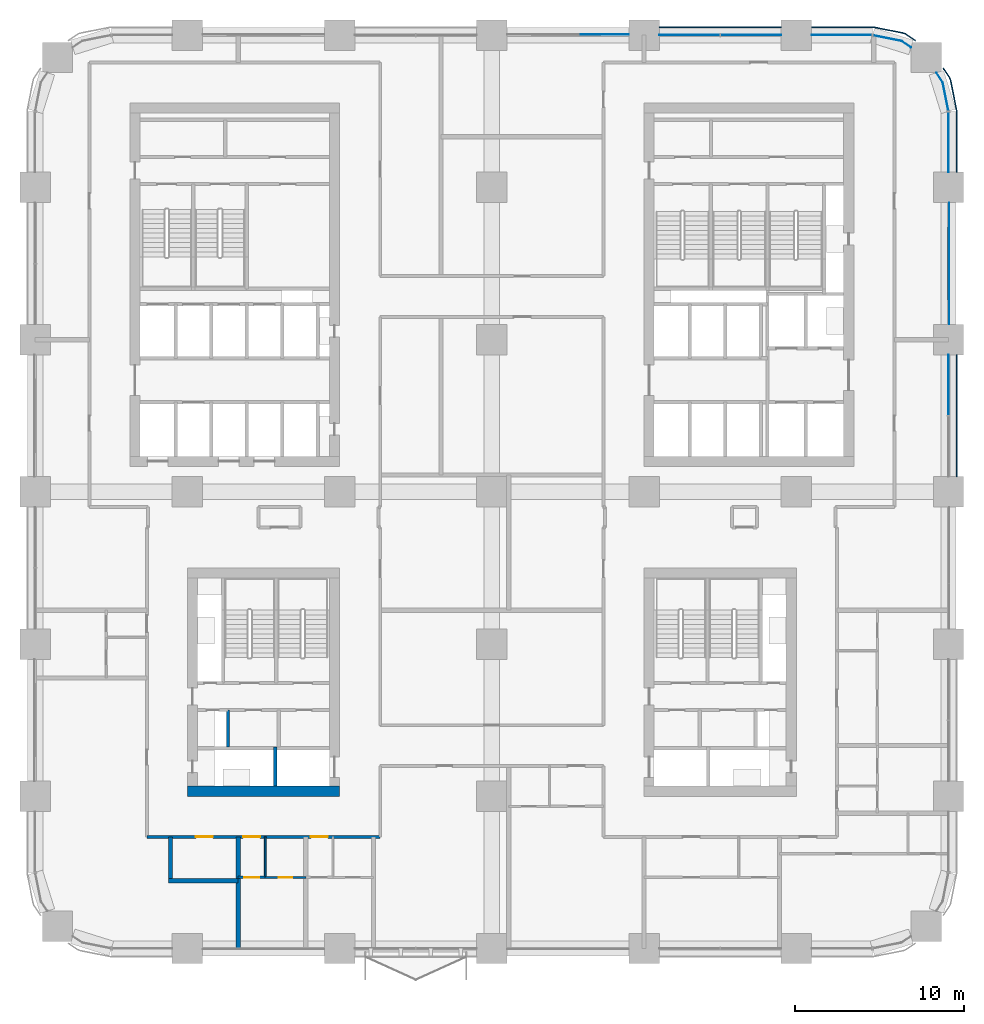
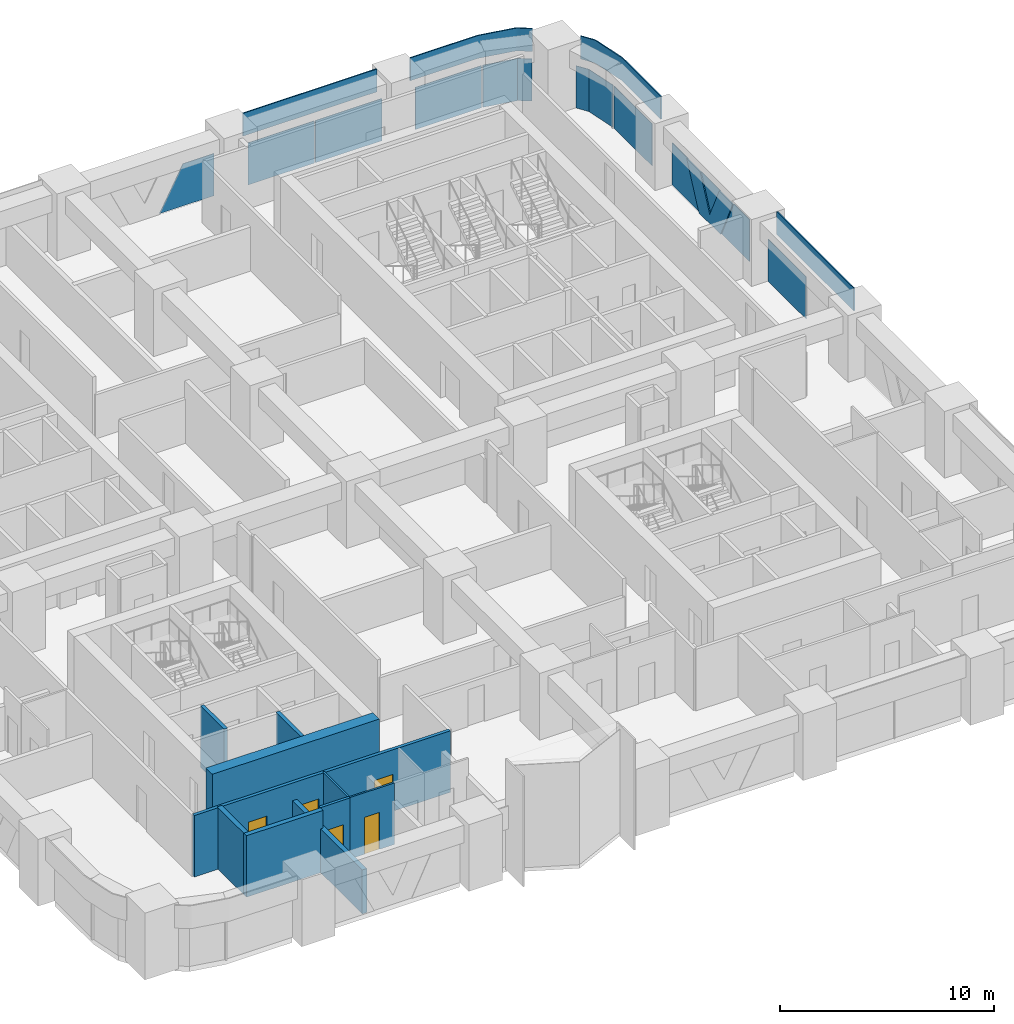
# One storey, part 13 of 24: 16 plates, 10 walls, 5 doors, 5 openings, 6 elements without a shape of their own.
"""IFC4 building model written with IfcOpenShell, lengths in metres."""

from ifc_helpers import new_model, si_unit, direction, frame, frame_2d, origin, origin_2d, place, context, subcontext, project, spatial, polyline, rectangle, outline, extrude, material, layer, layer_set, type_object, element, fill, aggregate, save


model = new_model("IFC4")

# Units and contexts
model_context = context("Model", 3, precision=1e-05, world=origin(), true_north=direction((0.0, 1.0)))
body_context = subcontext(model_context, "Body", "Model", "MODEL_VIEW")
ifc_project = project(units=[si_unit("LENGTHUNIT", "METRE"), si_unit("AREAUNIT", "SQUARE_METRE"), si_unit("VOLUMEUNIT", "CUBIC_METRE"), si_unit("PLANEANGLEUNIT", "RADIAN"), si_unit("MASSUNIT", "GRAM", prefix="KILO")], contexts=[model_context])

# Site, building, storey
site_placement = place(None, origin())
site = spatial("IfcSite", under=ifc_project, at=site_placement, CompositionType="ELEMENT")
building_placement = place(site_placement, origin())
building = spatial("IfcBuilding", under=site, at=building_placement, Name="Tessera Arch", CompositionType="ELEMENT")
storey_placement = place(building_placement, frame((0.0, 0.0, 38.60009765625)))
storey = spatial("IfcBuildingStorey", under=building, at=storey_placement, Name="L07", CompositionType="ELEMENT", Elevation=38.60009765625)

# Curtain wall, plate
ifc_material_1 = material(Name="CW1 curtain wall")
curtain_wall_type_1 = type_object("IfcCurtainWallType", Name="CW1 curtain wall", PredefinedType="NOTDEFINED", material=ifc_material_1)
curtain_wall_1_placement = place(storey_placement, origin())
curtain_wall_1 = element("IfcCurtainWall", 1, at=curtain_wall_1_placement, inside=storey, type_object=curtain_wall_type_1, Name="CW1 curtain wall E54.0/3 L07", PredefinedType="NOTDEFINED")
ifc_material_2 = material(Name="Clear low-e glass", Category="glass")
ifc_material_3 = material(Name="Clear low-e glass", Category="glass")
ifc_layer_1 = layer(ifc_material_3, 0.028076171875)
ifc_layer_set_1 = layer_set([ifc_layer_1], Name="CW1 glass panel")
plate_type_1 = type_object("IfcPlateType", Name="CW1 glass panel", PredefinedType="CURTAIN_PANEL", material=ifc_layer_set_1)
plate_1_placement = place(storey_placement, frame((54.0, 33.31494140625, 0.0), z_axis=(0.0, 0.0, 1.0), x_axis=(0.0, 1.0, 0.0)))
plate_1 = element("IfcPlate", 2, at=plate_1_placement, type_object=plate_type_1, material=ifc_material_2, Name="CW1 glass panel E54.0/3 1.2.1", PredefinedType="CURTAIN_PANEL", context=body_context, shape_type="SweptSolid", body=[
    extrude(rectangle(XDim=3.570068359375, YDim=0.028076171875, at=origin_2d()), origin(), (0.0, 0.0, 1.0), 2.39990234375),
])

# Curtain wall, plates
curtain_wall_2_placement = place(storey_placement, origin())
curtain_wall_2 = element("IfcCurtainWall", 3, at=curtain_wall_2_placement, inside=storey, type_object=curtain_wall_type_1, Name="CW1 curtain wall N54.0/1 L07", PredefinedType="NOTDEFINED")
plate_2_placement = place(storey_placement, frame((42.31494140625, 54.0, 0.0), z_axis=(0.0, 0.0, 1.0), x_axis=(-1.0, 0.0, 0.0)))
plate_2 = element("IfcPlate", 4, at=plate_2_placement, type_object=plate_type_1, material=ifc_material_2, Name="CW1 glass panel N54.0/1 1.1.1", PredefinedType="CURTAIN_PANEL", context=body_context, shape_type="SweptSolid", body=[
    extrude(rectangle(XDim=3.570068359375, YDim=0.028076171875, at=origin_2d()), origin(), (0.0, 0.0, 1.0), 2.39990234375),
])
plate_3_placement = place(storey_placement, frame((38.68505859375, 54.0, 0.0), z_axis=(0.0, 0.0, 1.0), x_axis=(-1.0, 0.0, 0.0)))
plate_3 = element("IfcPlate", 5, at=plate_3_placement, type_object=plate_type_1, material=ifc_material_2, Name="CW1 glass panel N54.0/1 1.2.1", PredefinedType="CURTAIN_PANEL", context=body_context, shape_type="SweptSolid", body=[
    extrude(rectangle(XDim=3.570068359375, YDim=0.028076171875, at=origin_2d()), origin(), (0.0, 0.0, 1.0), 2.39990234375),
])

# Plate
ifc_material_4 = material(Name="Pale anodised aluminium panel", Category="aluminium")
ifc_layer_2 = layer(ifc_material_4, 0.06005859375)
ifc_layer_set_2 = layer_set([ifc_layer_2], Name="CW1 spandrel panel")
plate_type_2 = type_object("IfcPlateType", Name="CW1 spandrel panel", PredefinedType="CURTAIN_PANEL", material=ifc_layer_set_2)
plate_4_placement = place(storey_placement, frame((54.47998046875, 31.5, 2.5), z_axis=(0.0, 0.0, 1.0), x_axis=(0.0, 1.0, 0.0)))
plate_4 = element("IfcPlate", 6, at=plate_4_placement, type_object=plate_type_2, Name="CW1 spandrel panel E54.0/3", PredefinedType="CURTAIN_PANEL", context=body_context, shape_type="SweptSolid", body=[
    extrude(rectangle(XDim=7.199951171875, YDim=0.06005859375, at=origin_2d()), origin(), (0.0, 0.0, 1.0), 1.300048828125),
])

aggregate(curtain_wall_1, [plate_1, plate_4])

plate_5_placement = place(storey_placement, frame((40.5, 54.47998046875, 2.5), z_axis=(0.0, 0.0, 1.0), x_axis=(-1.0, 0.0, 0.0)))
plate_5 = element("IfcPlate", 7, at=plate_5_placement, type_object=plate_type_2, Name="CW1 spandrel panel N54.0/1", PredefinedType="CURTAIN_PANEL", context=body_context, shape_type="SweptSolid", body=[
    extrude(rectangle(XDim=7.199951171875, YDim=0.06005859375, at=origin_2d()), origin(), (0.0, 0.0, 1.0), 1.300048828125),
])

aggregate(curtain_wall_2, [plate_2, plate_3, plate_5])

# Curtain wall, plates
ifc_material_5 = material(Name="CW2 curtain wall")
curtain_wall_type_2 = type_object("IfcCurtainWallType", Name="CW2 curtain wall", PredefinedType="NOTDEFINED", material=ifc_material_5)
curtain_wall_3_placement = place(storey_placement, origin())
curtain_wall_3 = element("IfcCurtainWall", 8, at=curtain_wall_3_placement, inside=storey, type_object=curtain_wall_type_2, Name="CW2 curtain wall E54.0/5 L07", PredefinedType="NOTDEFINED")
ifc_material_6 = material(Name="Clear low-e glass", Category="glass")
ifc_layer_3 = layer(ifc_material_6, 0.028076171875)
ifc_layer_set_3 = layer_set([ifc_layer_3], Name="CW2 glass panel")
plate_type_3 = type_object("IfcPlateType", Name="CW2 glass panel", PredefinedType="CURTAIN_PANEL", material=ifc_layer_set_3)
plate_6_placement = place(storey_placement, frame((54.0, 47.679931640625, 0.0), z_axis=(0.0, 0.0, 1.0), x_axis=(0.0, 1.0, 0.0)))
plate_6 = element("IfcPlate", 9, at=plate_6_placement, type_object=plate_type_3, material=ifc_material_2, Name="CW2 glass panel E54.0/5 1.1", PredefinedType="CURTAIN_PANEL", context=body_context, shape_type="SweptSolid", body=[
    extrude(rectangle(XDim=3.56005859375, YDim=0.028076171875, at=origin_2d()), origin(), (0.0, 0.0, 1.0), 2.39990234375),
])
plate_7_placement = place(storey_placement, origin())
plate_7 = element("IfcPlate", 10, at=plate_7_placement, type_object=plate_type_3, material=ifc_material_2, Name="CW2 curved glass panel E54.0/5 2.1", PredefinedType="CURTAIN_PANEL", context=body_context, shape_type="SweptSolid", body=[
    extrude(outline(polyline([(53.644287109375, 51.216552734375), (53.978515625, 49.53662109375), (54.005859375, 49.5419921875), (53.670654296875, 51.2275390625), (53.294921875, 51.789794921875), (53.271728515625, 51.774169921875), (53.644287109375, 51.216552734375)])), origin(), (0.0, 0.0, 1.0), 2.39990234375),
])

curtain_wall_4_placement = place(storey_placement, origin())
curtain_wall_4 = element("IfcCurtainWall", 11, at=curtain_wall_4_placement, inside=storey, type_object=curtain_wall_type_2, Name="CW2 curtain wall N54.0/0 L07", PredefinedType="NOTDEFINED")
plate_8_placement = place(storey_placement, frame((47.679931640625, 54.0, 0.0), z_axis=(0.0, 0.0, 1.0), x_axis=(-1.0, 0.0, 0.0)))
plate_8 = element("IfcPlate", 12, at=plate_8_placement, type_object=plate_type_3, material=ifc_material_2, Name="CW2 glass panel N54.0/0 1.1", PredefinedType="CURTAIN_PANEL", context=body_context, shape_type="SweptSolid", body=[
    extrude(rectangle(XDim=3.56005859375, YDim=0.028076171875, at=origin_2d()), origin(), (0.0, 0.0, 1.0), 2.39990234375),
])
plate_9_placement = place(storey_placement, origin())
plate_9 = element("IfcPlate", 13, at=plate_9_placement, type_object=plate_type_3, material=ifc_material_2, Name="CW2 curved glass panel N54.0/0 2.1", PredefinedType="CURTAIN_PANEL", context=body_context, shape_type="SweptSolid", body=[
    extrude(outline(polyline([(51.216552734375, 53.644287109375), (51.774169921875, 53.271728515625), (51.789794921875, 53.294921875), (51.2275390625, 53.670654296875), (49.5419921875, 54.005859375), (49.53662109375, 53.978515625), (51.216552734375, 53.644287109375)])), origin(), (0.0, 0.0, 1.0), 2.39990234375),
])

# Plate
ifc_material_7 = material(Name="Pale anodised aluminium panel", Category="aluminium")
ifc_layer_4 = layer(ifc_material_7, 0.06005859375)
ifc_layer_set_4 = layer_set([ifc_layer_4], Name="CW2 spandrel panel")
plate_type_4 = type_object("IfcPlateType", Name="CW2 spandrel panel", PredefinedType="CURTAIN_PANEL", material=ifc_layer_set_4)
plate_10_placement = place(storey_placement, frame((0.0, 0.0, 2.5)))
plate_10 = element("IfcPlate", 14, at=plate_10_placement, type_object=plate_type_4, Name="CW2 spandrel panel E54.0/5", PredefinedType="CURTAIN_PANEL", context=body_context, shape_type="SweptSolid", body=[
    extrude(outline(polyline([(54.449951171875, 49.499267578125), (54.449951171875, 45.89990234375), (54.510009765625, 45.89990234375), (54.510009765625, 49.500732421875), (54.507568359375, 49.550048828125), (54.500244140625, 49.598876953125), (54.157470703125, 51.322265625), (54.1455078125, 51.3701171875), (54.128662109375, 51.417236328125), (54.107177734375, 51.462646484375), (54.08203125, 51.5048828125), (53.707275390625, 52.0654296875), (53.657470703125, 52.031982421875), (54.03125, 51.47265625), (54.05419921875, 51.434326171875), (54.0732421875, 51.394287109375), (54.088134765625, 51.352783203125), (54.09912109375, 51.30908203125), (54.441162109375, 49.588623046875), (54.44775390625, 49.544189453125), (54.449951171875, 49.499267578125)])), origin(), (0.0, 0.0, 1.0), 1.2998046875),
])

aggregate(curtain_wall_3, [plate_6, plate_7, plate_10])

plate_11_placement = place(storey_placement, frame((0.0, 0.0, 2.5)))
plate_11 = element("IfcPlate", 15, at=plate_11_placement, type_object=plate_type_4, Name="CW2 spandrel panel N54.0/0", PredefinedType="CURTAIN_PANEL", context=body_context, shape_type="SweptSolid", body=[
    extrude(outline(polyline([(51.47265625, 54.03125), (52.031982421875, 53.657470703125), (52.0654296875, 53.707275390625), (51.5048828125, 54.08203125), (51.462646484375, 54.107177734375), (51.417236328125, 54.128662109375), (51.3701171875, 54.1455078125), (51.322265625, 54.157470703125), (49.598876953125, 54.500244140625), (49.550048828125, 54.507568359375), (49.500732421875, 54.510009765625), (45.89990234375, 54.510009765625), (45.89990234375, 54.449951171875), (49.499267578125, 54.449951171875), (49.544189453125, 54.44775390625), (49.588623046875, 54.441162109375), (51.30908203125, 54.09912109375), (51.352783203125, 54.088134765625), (51.394287109375, 54.0732421875), (51.434326171875, 54.05419921875), (51.47265625, 54.03125)])), origin(), (0.0, 0.0, 1.0), 1.2998046875),
])

aggregate(curtain_wall_4, [plate_8, plate_9, plate_11])

# Curtain wall, plates
ifc_material_8 = material(Name="CW3 curtain wall")
curtain_wall_type_3 = type_object("IfcCurtainWallType", Name="CW3 curtain wall", PredefinedType="NOTDEFINED", material=ifc_material_8)
curtain_wall_5_placement = place(storey_placement, origin())
curtain_wall_5 = element("IfcCurtainWall", 16, at=curtain_wall_5_placement, inside=storey, type_object=curtain_wall_type_3, Name="CW3 curtain wall E54.0/4 L07", PredefinedType="NOTDEFINED")
ifc_material_9 = material(Name="Pale anodised aluminium panel", Category="aluminium")
ifc_layer_5 = layer(ifc_material_9, 0.06005859375)
ifc_layer_set_5 = layer_set([ifc_layer_5], Name="CW3 diagonal panel")
plate_type_5 = type_object("IfcPlateType", Name="CW3 diagonal panel", PredefinedType="CURTAIN_PANEL", material=ifc_layer_set_5)
plate_12_placement = place(storey_placement, frame((54.030029296875, 42.644287109375, 2.39990234375), z_axis=(1.0, 0.0, 0.0), x_axis=(0.0, -1.0, 0.0)))
plate_12 = element("IfcPlate", 17, at=plate_12_placement, type_object=plate_type_5, Name="CW3 diagonal panel E54.0/4 1", PredefinedType="CURTAIN_PANEL", context=body_context, shape_type="SweptSolid", body=[
    extrude(outline(polyline([(0.0, 0.0), (1.257080078125, 0.0), (2.144287109375, 1.873046875), (3.031494140625, 0.0), (4.28857421875, 0.0), (3.15185546875, 2.39990234375), (1.13671875, 2.39990234375), (0.0, 0.0)])), origin(), (0.0, 0.0, -1.0), 0.06005859375),
])
ifc_material_10 = material(Name="Clear low-e glass", Category="glass")
ifc_layer_6 = layer(ifc_material_10, 0.028076171875)
ifc_layer_set_6 = layer_set([ifc_layer_6], Name="CW3 glass panel")
plate_type_6 = type_object("IfcPlateType", Name="CW3 glass panel", PredefinedType="CURTAIN_PANEL", material=ifc_layer_set_6)
plate_13_placement = place(storey_placement, frame((54.05810546875, 36.89990234375, 0.0), z_axis=(1.0, 0.0, 0.0), x_axis=(0.0, 1.0, 0.0)))
plate_13 = element("IfcPlate", 18, at=plate_13_placement, type_object=plate_type_6, material=ifc_material_2, Name="CW3 triangulated glass panel E54.0/4 1", PredefinedType="CURTAIN_PANEL", context=body_context, shape_type="SweptSolid", body=[
    extrude(outline(polyline([(0.0, 0.0), (2.592529296875, 0.0), (1.455810546875, 2.39990234375), (0.0, 2.39990234375), (0.0, 0.0)])), origin(), (0.0, 0.0, -1.0), 0.028076171875),
])
plate_14_placement = place(storey_placement, frame((54.05810546875, 41.38720703125, 2.39990234375), z_axis=(1.0, 0.0, 0.0), x_axis=(0.0, -1.0, 0.0)))
plate_14 = element("IfcPlate", 19, at=plate_14_placement, type_object=plate_type_6, material=ifc_material_2, Name="CW3 triangulated glass panel E54.0/4 2", PredefinedType="CURTAIN_PANEL", context=body_context, shape_type="SweptSolid", body=[
    extrude(outline(polyline([(0.0, 0.0), (1.7744140625, 0.0), (0.88720703125, 1.873046875), (0.0, 0.0)])), origin(), (0.0, 0.0, -1.0), 0.028076171875),
])
plate_15_placement = place(storey_placement, frame((54.05810546875, 44.10009765625, 2.39990234375), z_axis=(1.0, 0.0, 0.0), x_axis=(0.0, -1.0, 0.0)))
plate_15 = element("IfcPlate", 20, at=plate_15_placement, type_object=plate_type_6, material=ifc_material_2, Name="CW3 triangulated glass panel E54.0/4 3", PredefinedType="CURTAIN_PANEL", context=body_context, shape_type="SweptSolid", body=[
    extrude(outline(polyline([(0.0, 0.0), (1.455810546875, 0.0), (2.592529296875, 2.39990234375), (0.0, 2.39990234375), (0.0, 0.0)])), origin(), (0.0, 0.0, -1.0), 0.028076171875),
])
aggregate(curtain_wall_5, [plate_13, plate_14, plate_15, plate_12])

# Curtain wall, plate
curtain_wall_6_placement = place(storey_placement, origin())
curtain_wall_6 = element("IfcCurtainWall", 21, at=curtain_wall_6_placement, inside=storey, type_object=curtain_wall_type_3, Name="CW3 curtain wall N54.0/2 L07", PredefinedType="NOTDEFINED")
plate_16_placement = place(storey_placement, frame((35.10009765625, 54.05810546875, 0.0), z_axis=(0.0, 1.0, 0.0), x_axis=(-1.0, 0.0, 0.0)))
plate_16 = element("IfcPlate", 22, at=plate_16_placement, type_object=plate_type_6, material=ifc_material_2, Name="CW3 triangulated glass panel N54.0/2 1", PredefinedType="CURTAIN_PANEL", context=body_context, shape_type="SweptSolid", body=[
    extrude(outline(polyline([(0.0, 0.0), (2.94970703125, 0.0), (1.681884765625, 2.39990234375), (0.0, 2.39990234375), (0.0, 0.0)])), origin(), (0.0, 0.0, -1.0), 0.028076171875),
])
aggregate(curtain_wall_6, [plate_16])

# Wall
ifc_material_11 = material(Name="Concrete C70/85", Category="concrete")
ifc_layer_7 = layer(ifc_material_11, 0.60009765625)
ifc_layer_set_7 = layer_set([ifc_layer_7], Name="Core shell wall 600 C70-85")
wall_type_1 = type_object("IfcWallType", Name="Core shell wall 600 C70-85", PredefinedType="SHEAR", material=ifc_layer_set_7)
wall_1_placement = place(storey_placement, frame((9.0, 9.300048828125, 0.0), z_axis=(0.0, 0.0, 1.0), x_axis=(1.0, 0.0, 0.0)))
element("IfcWall", 23, at=wall_1_placement, inside=storey, type_object=wall_type_1, Name="L07 C4 core wall S", PredefinedType="SHEAR", context=body_context, shape_type="SweptSolid", body=[
    extrude(rectangle(XDim=9.0, YDim=0.60009765625, at=frame_2d((4.5, 0.0))), origin(), (0.0, 0.0, 1.0), 3.5),
])

# Wall, openings, doors
ifc_material_12 = material(Name="Gypsum board on deep steel stud with mineral wool", Category="steel")
ifc_layer_8 = layer(ifc_material_12, 0.175048828125)
ifc_layer_set_8 = layer_set([ifc_layer_8], Name="Corridor wall 175 EI 60")
wall_type_2 = type_object("IfcWallType", Name="Corridor wall 175 EI 60", PredefinedType="PARTITIONING", material=ifc_layer_set_8)
wall_2_placement = place(storey_placement, frame((6.60009765625, 6.60009765625, 0.0), z_axis=(0.0, 0.0, 1.0), x_axis=(1.0, 0.0, 0.0)))
wall_2 = element("IfcWall", 24, at=wall_2_placement, inside=storey, type_object=wall_type_2, Name="L07 partition 1", PredefinedType="PARTITIONING", context=body_context, shape_type="SweptSolid", body=[
    extrude(rectangle(XDim=13.7998046875, YDim=0.175048828125, at=frame_2d((6.89990234375, 0.0))), origin(), (0.0, 0.0, 1.0), 3.5),
])
opening_1_placement = place(wall_2_placement, frame((5.699951171875, 0.0, 0.0)))
opening_1 = element("IfcOpeningElement", 25, at=opening_1_placement, cuts=wall_2, Name="Opening L07-D001", PredefinedType="OPENING", context=body_context, shape_type="SweptSolid", body=[
    extrude(rectangle(XDim=1.0, YDim=2.10009765625, at=frame_2d((0.5, 1.050048828125))), frame((0.0, 0.097412109375, 0.0), z_axis=(0.0, -1.0, 0.0), x_axis=(1.0, 0.0, 0.0)), (0.0, 0.0, 1.0), 0.195068359375),
])
opening_2_placement = place(wall_2_placement, frame((9.699951171875, 0.0, 0.0)))
opening_2 = element("IfcOpeningElement", 26, at=opening_2_placement, cuts=wall_2, Name="Opening L07-D004", PredefinedType="OPENING", context=body_context, shape_type="SweptSolid", body=[
    extrude(rectangle(XDim=1.0, YDim=2.10009765625, at=frame_2d((0.5, 1.050048828125))), frame((0.0, 0.097412109375, 0.0), z_axis=(0.0, -1.0, 0.0), x_axis=(1.0, 0.0, 0.0)), (0.0, 0.0, 1.0), 0.195068359375),
])
opening_3_placement = place(wall_2_placement, frame((2.89990234375, 0.0, 0.0)))
opening_3 = element("IfcOpeningElement", 27, at=opening_3_placement, cuts=wall_2, Name="Opening L07-D016", PredefinedType="OPENING", context=body_context, shape_type="SweptSolid", body=[
    extrude(rectangle(XDim=1.0, YDim=2.10009765625, at=frame_2d((0.5, 1.050048828125))), frame((0.0, 0.097412109375, 0.0), z_axis=(0.0, -1.0, 0.0), x_axis=(1.0, 0.0, 0.0)), (0.0, 0.0, 1.0), 0.195068359375),
])
ifc_material_13 = material(Name="Fire-rated door leaf")
door_type_1 = type_object("IfcDoorType", Name="Entrance door FD30S 1000 x 2100", OperationType="SINGLE_SWING_LEFT", PredefinedType="DOOR", material=ifc_material_13)
door_1_placement = place(opening_1_placement, origin())
door_1 = element("IfcDoor", 28, at=door_1_placement, inside=storey, type_object=door_type_1, Name="L07 door D001 type D03", OperationType="SINGLE_SWING_RIGHT", OverallHeight=2.10009765625, OverallWidth=1.0, PredefinedType="DOOR", context=body_context, shape_type="SweptSolid", body=[
    extrude(rectangle(XDim=1.0, YDim=2.10009765625, at=frame_2d((0.5, 1.050048828125))), frame((0.0, 0.02490234375, 0.0), z_axis=(0.0, -1.0, 0.0), x_axis=(1.0, 0.0, 0.0)), (0.0, 0.0, 1.0), 0.050048828125),
])
fill(opening_1, door_1)
door_2_placement = place(opening_2_placement, origin())
door_2 = element("IfcDoor", 29, at=door_2_placement, inside=storey, type_object=door_type_1, Name="L07 door D004 type D03", OperationType="SINGLE_SWING_LEFT", OverallHeight=2.10009765625, OverallWidth=1.0, PredefinedType="DOOR", context=body_context, shape_type="SweptSolid", body=[
    extrude(rectangle(XDim=1.0, YDim=2.10009765625, at=frame_2d((0.5, 1.050048828125))), frame((0.0, 0.02490234375, 0.0), z_axis=(0.0, -1.0, 0.0), x_axis=(1.0, 0.0, 0.0)), (0.0, 0.0, 1.0), 0.050048828125),
])
fill(opening_2, door_2)
door_3_placement = place(opening_3_placement, origin())
door_3 = element("IfcDoor", 30, at=door_3_placement, inside=storey, type_object=door_type_1, Name="L07 door D016 type D03", OperationType="SINGLE_SWING_LEFT", OverallHeight=2.10009765625, OverallWidth=1.0, PredefinedType="DOOR", context=body_context, shape_type="SweptSolid", body=[
    extrude(rectangle(XDim=1.0, YDim=2.10009765625, at=frame_2d((0.5, 1.050048828125))), frame((0.0, 0.02490234375, 0.0), z_axis=(0.0, -1.0, 0.0), x_axis=(1.0, 0.0, 0.0)), (0.0, 0.0, 1.0), 0.050048828125),
])
fill(opening_3, door_3)

# Wall, opening, door
ifc_material_14 = material(Name="Gypsum board on steel stud", Category="steel")
ifc_layer_9 = layer(ifc_material_14, 0.14990234375)
ifc_layer_set_9 = layer_set([ifc_layer_9], Name="Partition 150")
wall_type_3 = type_object("IfcWallType", Name="Partition 150", PredefinedType="PARTITIONING", material=ifc_layer_set_9)
wall_3_placement = place(storey_placement, frame((12.0, 4.199951171875, 0.0), z_axis=(0.0, 0.0, 1.0), x_axis=(1.0, 0.0, 0.0)))
wall_3 = element("IfcWall", 31, at=wall_3_placement, inside=storey, type_object=wall_type_3, Name="L07 partition 41", PredefinedType="PARTITIONING", context=body_context, shape_type="SweptSolid", body=[
    extrude(rectangle(XDim=1.60009765625, YDim=0.14990234375, at=frame_2d((0.800048828125, 0.0))), origin(), (0.0, 0.0, 1.0), 3.5),
])
opening_4_placement = place(wall_3_placement, frame((0.35009765625, 0.0, 0.0)))
opening_4 = element("IfcOpeningElement", 32, at=opening_4_placement, cuts=wall_3, Name="Opening L07-D002", PredefinedType="OPENING", context=body_context, shape_type="SweptSolid", body=[
    extrude(rectangle(XDim=0.89990234375, YDim=2.10009765625, at=frame_2d((0.449951171875, 1.050048828125))), frame((0.0, 0.0849609375, 0.0), z_axis=(0.0, -1.0, 0.0), x_axis=(1.0, 0.0, 0.0)), (0.0, 0.0, 1.0), 0.169921875),
])
ifc_material_15 = material(Name="Timber door leaf", Category="wood")
door_type_2 = type_object("IfcDoorType", Name="Room door 900 x 2100", OperationType="SINGLE_SWING_LEFT", PredefinedType="DOOR", material=ifc_material_15)
door_4_placement = place(opening_4_placement, origin())
door_4 = element("IfcDoor", 33, at=door_4_placement, inside=storey, type_object=door_type_2, Name="L07 door D002 type D01", OperationType="SINGLE_SWING_LEFT", OverallHeight=2.10009765625, OverallWidth=0.89990234375, PredefinedType="DOOR", context=body_context, shape_type="SweptSolid", body=[
    extrude(rectangle(XDim=0.89990234375, YDim=2.10009765625, at=frame_2d((0.449951171875, 1.050048828125))), frame((0.0, 0.02490234375, 0.0), z_axis=(0.0, -1.0, 0.0), x_axis=(1.0, 0.0, 0.0)), (0.0, 0.0, 1.0), 0.050048828125),
])
fill(opening_4, door_4)

# Walls
ifc_material_16 = material(Name="Double gypsum board on twin steel stud with acoustic mineral wool", Category="steel")
ifc_layer_10 = layer(ifc_material_16, 0.25)
ifc_layer_set_10 = layer_set([ifc_layer_10], Name="Party wall 250 EI 60")
wall_type_4 = type_object("IfcWallType", Name="Party wall 250 EI 60", PredefinedType="PARTITIONING", material=ifc_layer_set_10)
wall_4_placement = place(storey_placement, frame((7.875, 4.0, 0.0), z_axis=(0.0, 0.0, 1.0), x_axis=(1.0, 0.0, 0.0)))
element("IfcWall", 34, at=wall_4_placement, inside=storey, type_object=wall_type_4, Name="L07 partition 49", PredefinedType="PARTITIONING", context=body_context, shape_type="SweptSolid", body=[
    extrude(rectangle(XDim=4.125, YDim=0.25, at=frame_2d((2.0625, 0.0))), origin(), (0.0, 0.0, 1.0), 3.5),
])
wall_5_placement = place(storey_placement, frame((8.0, 4.125, 0.0), z_axis=(0.0, 0.0, 1.0), x_axis=(0.0, 1.0, 0.0)))
element("IfcWall", 35, at=wall_5_placement, inside=storey, type_object=wall_type_4, Name="L07 partition 60", PredefinedType="PARTITIONING", context=body_context, shape_type="SweptSolid", body=[
    extrude(rectangle(XDim=2.47509765625, YDim=0.25, at=frame_2d((1.237548828125, 0.0))), origin(), (0.0, 0.0, 1.0), 3.5),
])
wall_6_placement = place(storey_placement, frame((12.0, 0.0, 0.0), z_axis=(0.0, 0.0, 1.0), x_axis=(0.0, 1.0, 0.0)))
element("IfcWall", 36, at=wall_6_placement, inside=storey, type_object=wall_type_4, Name="L07 partition 61", PredefinedType="PARTITIONING", context=body_context, shape_type="SweptSolid", body=[
    extrude(rectangle(XDim=6.60009765625, YDim=0.25, at=frame_2d((3.300048828125, 0.0))), origin(), (0.0, 0.0, 1.0), 2.5),
])
ifc_material_17 = material(Name="Concrete C40/50", Category="concrete")
ifc_layer_11 = layer(ifc_material_17, 0.199951171875)
ifc_layer_set_11 = layer_set([ifc_layer_11], Name="Shaft wall 200 EI 120")
wall_type_5 = type_object("IfcWallType", Name="Shaft wall 200 EI 120", PredefinedType="SOLIDWALL", material=ifc_layer_set_11)
wall_7_placement = place(storey_placement, frame((11.39990234375, 11.89990234375, 0.0), z_axis=(0.0, 0.0, 1.0), x_axis=(0.0, 1.0, 0.0)))
element("IfcWall", 37, at=wall_7_placement, inside=storey, type_object=wall_type_5, Name="L07 C4 shaft wall 3", PredefinedType="SOLIDWALL", context=body_context, shape_type="SweptSolid", body=[
    extrude(rectangle(XDim=2.2001953125, YDim=0.199951171875, at=frame_2d((1.10009765625, 0.0))), origin(), (0.0, 0.0, 1.0), 3.5),
])
wall_8_placement = place(storey_placement, frame((14.199951171875, 9.60009765625, 0.0), z_axis=(0.0, 0.0, 1.0), x_axis=(0.0, 1.0, 0.0)))
element("IfcWall", 38, at=wall_8_placement, inside=storey, type_object=wall_type_5, Name="L07 C4 shaft wall 4", PredefinedType="SOLIDWALL", context=body_context, shape_type="SweptSolid", body=[
    extrude(rectangle(XDim=2.2998046875, YDim=0.199951171875, at=frame_2d((1.14990234375, 0.0))), origin(), (0.0, 0.0, 1.0), 3.5),
])

# Wall, opening, door
ifc_material_18 = material(Name="Moisture-resistant board on pre-plumbed steel stud", Category="steel")
ifc_layer_12 = layer(ifc_material_18, 0.10009765625)
ifc_layer_set_12 = layer_set([ifc_layer_12], Name="Wet wall 100")
wall_type_6 = type_object("IfcWallType", Name="Wet wall 100", PredefinedType="PARTITIONING", material=ifc_layer_set_12)
wall_9_placement = place(storey_placement, frame((13.60009765625, 4.199951171875, 0.0), z_axis=(0.0, 0.0, 1.0), x_axis=(1.0, 0.0, 0.0)))
wall_9 = element("IfcWall", 39, at=wall_9_placement, inside=storey, type_object=wall_type_6, Name="L07 partition 73", PredefinedType="PARTITIONING", context=body_context, shape_type="SweptSolid", body=[
    extrude(rectangle(XDim=2.39990234375, YDim=0.10009765625, at=frame_2d((1.199951171875, 0.0))), origin(), (0.0, 0.0, 1.0), 3.5),
])
opening_5_placement = place(wall_9_placement, frame((0.800048828125, 0.0, 0.0)))
opening_5 = element("IfcOpeningElement", 40, at=opening_5_placement, cuts=wall_9, Name="Opening L07-D003", PredefinedType="OPENING", context=body_context, shape_type="SweptSolid", body=[
    extrude(rectangle(XDim=0.800048828125, YDim=2.10009765625, at=frame_2d((0.39990234375, 1.050048828125))), frame((0.0, 0.06005859375, 0.0), z_axis=(0.0, -1.0, 0.0), x_axis=(1.0, 0.0, 0.0)), (0.0, 0.0, 1.0), 0.1201171875),
])
ifc_material_19 = material(Name="Timber door leaf", Category="wood")
door_type_3 = type_object("IfcDoorType", Name="En-suite door 800 x 2100", OperationType="SINGLE_SWING_LEFT", PredefinedType="DOOR", material=ifc_material_19)
door_5_placement = place(opening_5_placement, origin())
door_5 = element("IfcDoor", 41, at=door_5_placement, inside=storey, type_object=door_type_3, Name="L07 door D003 type D02", OperationType="SINGLE_SWING_RIGHT", OverallHeight=2.10009765625, OverallWidth=0.800048828125, PredefinedType="DOOR", context=body_context, shape_type="SweptSolid", body=[
    extrude(rectangle(XDim=0.800048828125, YDim=2.10009765625, at=frame_2d((0.39990234375, 1.050048828125))), frame((0.0, 0.02490234375, 0.0), z_axis=(0.0, -1.0, 0.0), x_axis=(1.0, 0.0, 0.0)), (0.0, 0.0, 1.0), 0.050048828125),
])
fill(opening_5, door_5)

# Wall
wall_10_placement = place(storey_placement, frame((13.60009765625, 4.199951171875, 0.0), z_axis=(0.0, 0.0, 1.0), x_axis=(0.0, 1.0, 0.0)))
element("IfcWall", 42, at=wall_10_placement, inside=storey, type_object=wall_type_6, Name="L07 partition 82", PredefinedType="PARTITIONING", context=body_context, shape_type="SweptSolid", body=[
    extrude(rectangle(XDim=2.400146484375, YDim=0.10009765625, at=frame_2d((1.2001953125, 0.0))), origin(), (0.0, 0.0, 1.0), 3.5),
])

save(model, "model.ifc")
